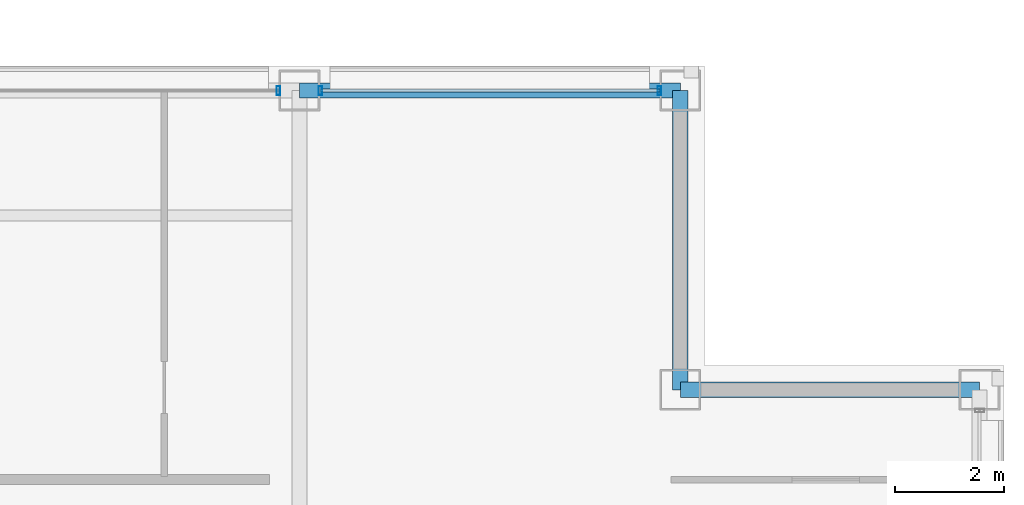
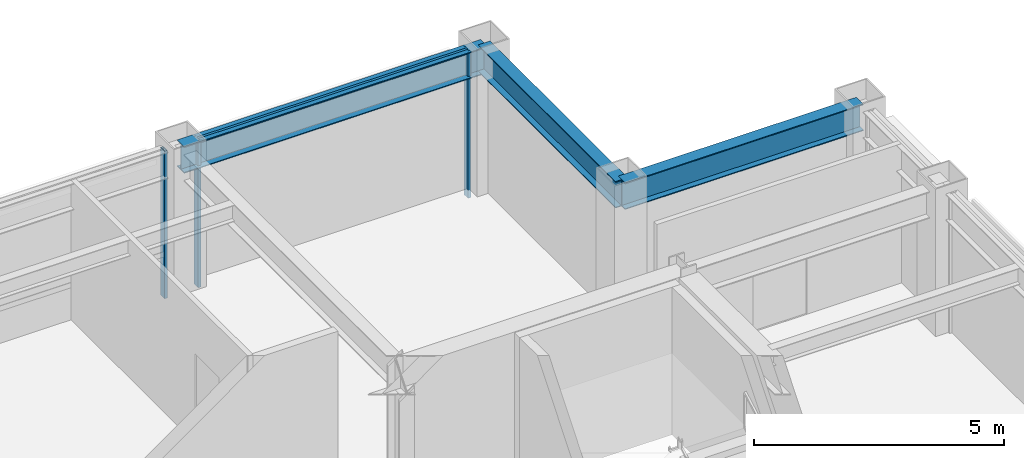
# One storey, part 21 of 30: 4 members, 3 beams, 2 elements without a shape of their own.
"""IFC4 building model written with IfcOpenShell, lengths in metres."""

from ifc_helpers import new_model, si_unit, direction, frame, origin, origin_2d, place, context, subcontext, project, spatial, hollow_rectangle, i_section, extrude, material, layer, layer_set, material_profile, profile_set, type_object, element, aggregate, save


model = new_model("IFC4")

# Units and contexts
model_context = context("Model", 3, precision=1e-05, world=origin(), true_north=direction((0.0, 1.0)))
body_context = subcontext(model_context, "Body", "Model", "MODEL_VIEW")
ifc_project = project(units=[si_unit("LENGTHUNIT", "METRE"), si_unit("AREAUNIT", "SQUARE_METRE"), si_unit("VOLUMEUNIT", "CUBIC_METRE"), si_unit("PLANEANGLEUNIT", "RADIAN"), si_unit("MASSUNIT", "GRAM", prefix="KILO")], contexts=[model_context])

# Site, building, storey
site_placement = place(None, origin())
site = spatial("IfcSite", under=ifc_project, at=site_placement, CompositionType="ELEMENT")
building_placement = place(site_placement, origin())
building = spatial("IfcBuilding", under=site, at=building_placement, Name="Brelmoor Portico Tower", CompositionType="ELEMENT")
storey_placement = place(building_placement, frame((0.0, 0.0, 169.5)))
storey = spatial("IfcBuildingStorey", under=building, at=storey_placement, Name="L44", CompositionType="ELEMENT", Elevation=169.5)

# Beams
ifc_material_1 = material(Name="Steel Q355B", Category="steel")
ifc_material_profile_1 = material_profile(ifc_material_1, i_section(OverallWidth=0.280029296875, OverallDepth=0.64990234375, WebThickness=0.012939453125, FlangeThickness=0.02197265625, at=origin_2d()), Name="HN 650x280x13x22")
ifc_profile_set_1 = profile_set([ifc_material_profile_1], Name="Steel Q355B")
beam_type = type_object("IfcBeamType", Name="BM-SP-650", PredefinedType="SPANDREL", material=ifc_profile_set_1)
beam_1_placement = place(storey_placement, frame((15.050048828125, 13.050048828125, 3.074951171875), z_axis=(1.0, 0.0, 0.0), x_axis=(0.0, 1.0, 0.0)))
element("IfcBeam", 1, at=beam_1_placement, inside=storey, type_object=beam_type, Name="L44 Perimeter Spandrel Beam SP-07", PredefinedType="SPANDREL", context=body_context, shape_type="SweptSolid", body=[
    extrude(i_section(OverallWidth=0.280029296875, OverallDepth=0.64990234375, WebThickness=0.012939453125, FlangeThickness=0.02197265625, at=origin_2d()), origin(), (0.0, 0.0, 1.0), 5.5),
])
beam_2_placement = place(storey_placement, frame((8.050048828125, 18.550048828125, 3.074951171875), z_axis=(1.0, 0.0, 0.0), x_axis=(0.0, 1.0, 0.0)))
element("IfcBeam", 2, at=beam_2_placement, inside=storey, type_object=beam_type, Name="L44 Perimeter Spandrel Beam SP-10", PredefinedType="SPANDREL", context=body_context, shape_type="SweptSolid", body=[
    extrude(i_section(OverallWidth=0.280029296875, OverallDepth=0.64990234375, WebThickness=0.012939453125, FlangeThickness=0.02197265625, at=origin_2d()), origin(), (0.0, 0.0, 1.0), 7.0),
])
beam_3_placement = place(storey_placement, frame((15.050048828125, 13.050048828125, 3.074951171875), z_axis=(0.0, 1.0, 0.0), x_axis=(-1.0, 0.0, 0.0)))
element("IfcBeam", 3, at=beam_3_placement, inside=storey, type_object=beam_type, Name="L44 Perimeter Spandrel Beam SP-17", PredefinedType="SPANDREL", context=body_context, shape_type="SweptSolid", body=[
    extrude(i_section(OverallWidth=0.280029296875, OverallDepth=0.64990234375, WebThickness=0.012939453125, FlangeThickness=0.02197265625, at=origin_2d()), origin(), (0.0, 0.0, 1.0), 5.5),
])

# Curtain wall, member
ifc_material_2 = material(Name="Anodised Aluminium Alloy 6063-T6", Category="aluminium")
ifc_layer_1 = layer(ifc_material_2, 0.179931640625)
ifc_layer_set_1 = layer_set([ifc_layer_1], Name="Anodised Aluminium Alloy 6063-T6")
curtain_wall_type_1 = type_object("IfcCurtainWallType", Name="CW-TOWER-Z3", PredefinedType="NOTDEFINED", material=ifc_layer_set_1)
curtain_wall_1_placement = place(storey_placement, origin())
curtain_wall_1 = element("IfcCurtainWall", 4, at=curtain_wall_1_placement, inside=storey, type_object=curtain_wall_type_1, Name="L44 Curtain Wall CW-L44-2R-1", PredefinedType="NOTDEFINED")
ifc_material_profile_2 = material_profile(ifc_material_2, hollow_rectangle(XDim=0.06494140625, YDim=0.1650390625, WallThickness=0.00390625, at=origin_2d()), Name="ALU MULLION 65x165")
ifc_profile_set_2 = profile_set([ifc_material_profile_2], Name="Anodised Aluminium Alloy 6063-T6")
member_type_1 = type_object("IfcMemberType", Name="MB-CW-MULL-165", PredefinedType="MULLION", material=ifc_profile_set_2)
member_1_placement = place(storey_placement, frame((7.6650390625, 18.550048828125, -0.199951171875), z_axis=(0.0, 0.0, 1.0), x_axis=(1.0, 0.0, 0.0)))
member_1 = element("IfcMember", 5, at=member_1_placement, type_object=member_type_1, Name="CW-L44-2R-1 Mullion 01", PredefinedType="MULLION", context=body_context, shape_type="SweptSolid", body=[
    extrude(hollow_rectangle(XDim=0.06494140625, YDim=0.1650390625, WallThickness=0.00390625, at=origin_2d()), origin(), (0.0, 0.0, 1.0), 3.599853515625),
])
aggregate(curtain_wall_1, [member_1])

# Curtain wall, members
ifc_layer_2 = layer(ifc_material_2, 0.179931640625)
ifc_layer_set_2 = layer_set([ifc_layer_2], Name="Anodised Aluminium Alloy 6063-T6")
curtain_wall_type_2 = type_object("IfcCurtainWallType", Name="CW-TOWER-Z3-XB", PredefinedType="NOTDEFINED", material=ifc_layer_set_2)
curtain_wall_2_placement = place(storey_placement, origin())
curtain_wall_2 = element("IfcCurtainWall", 6, at=curtain_wall_2_placement, inside=storey, type_object=curtain_wall_type_2, Name="L44 Curtain Wall CW-L44-2R-2", PredefinedType="NOTDEFINED")
member_2_placement = place(storey_placement, frame((8.43505859375, 18.550048828125, -0.199951171875), z_axis=(0.0, 0.0, 1.0), x_axis=(1.0, 0.0, 0.0)))
member_2 = element("IfcMember", 7, at=member_2_placement, type_object=member_type_1, Name="CW-L44-2R-2 Mullion 00", PredefinedType="MULLION", context=body_context, shape_type="SweptSolid", body=[
    extrude(hollow_rectangle(XDim=0.06494140625, YDim=0.1650390625, WallThickness=0.00390625, at=origin_2d()), origin(), (0.0, 0.0, 1.0), 3.599853515625),
])
member_3_placement = place(storey_placement, frame((14.6650390625, 18.550048828125, -0.199951171875), z_axis=(0.0, 0.0, 1.0), x_axis=(1.0, 0.0, 0.0)))
member_3 = element("IfcMember", 8, at=member_3_placement, type_object=member_type_1, Name="CW-L44-2R-2 Mullion 01", PredefinedType="MULLION", context=body_context, shape_type="SweptSolid", body=[
    extrude(hollow_rectangle(XDim=0.06494140625, YDim=0.1650390625, WallThickness=0.00390625, at=origin_2d()), origin(), (0.0, 0.0, 1.0), 3.599853515625),
])
ifc_material_profile_3 = material_profile(ifc_material_2, hollow_rectangle(XDim=0.06005859375, YDim=0.125, WallThickness=0.00341796875, at=origin_2d()), Name="ALU TRANSOM 60x125")
ifc_profile_set_3 = profile_set([ifc_material_profile_3], Name="Anodised Aluminium Alloy 6063-T6")
member_type_2 = type_object("IfcMemberType", Name="MB-CW-TRAN-125", PredefinedType="USERDEFINED", material=ifc_profile_set_3)
member_4_placement = place(storey_placement, frame((8.43505859375, 18.550048828125, 3.33740234375), z_axis=(1.0, 0.0, 0.0), x_axis=(0.0, 1.0, 0.0)))
member_4 = element("IfcMember", 9, at=member_4_placement, type_object=member_type_2, Name="CW-L44-2R-2 Transom 1-00", ObjectType="TRANSOM", PredefinedType="USERDEFINED", context=body_context, shape_type="SweptSolid", body=[
    extrude(hollow_rectangle(XDim=0.06005859375, YDim=0.125, WallThickness=0.00341796875, at=origin_2d()), origin(), (0.0, 0.0, 1.0), 6.22998046875),
])
aggregate(curtain_wall_2, [member_2, member_3, member_4])

save(model, "model.ifc")
